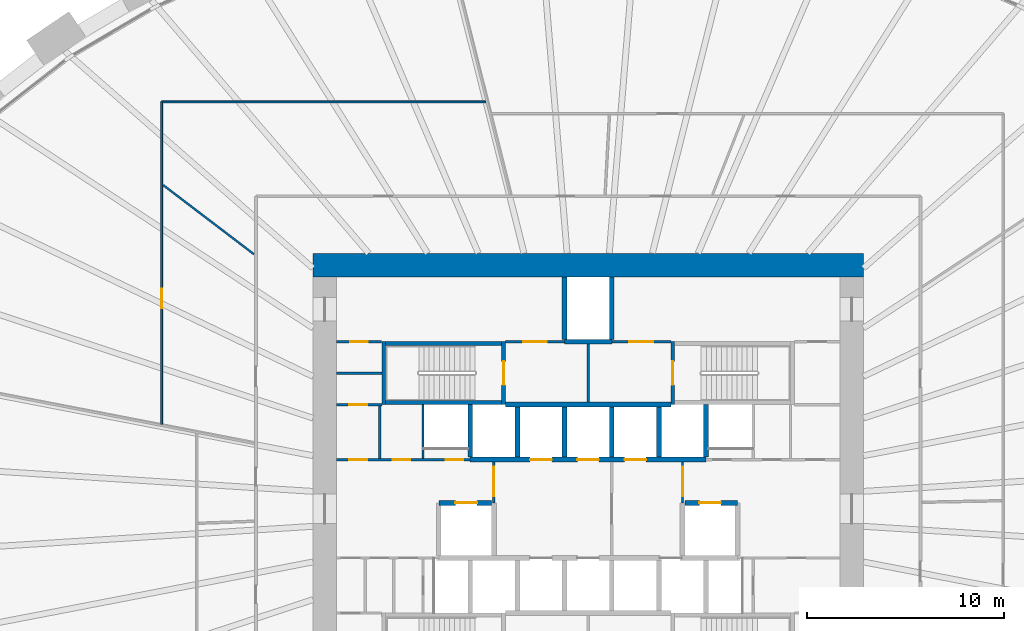
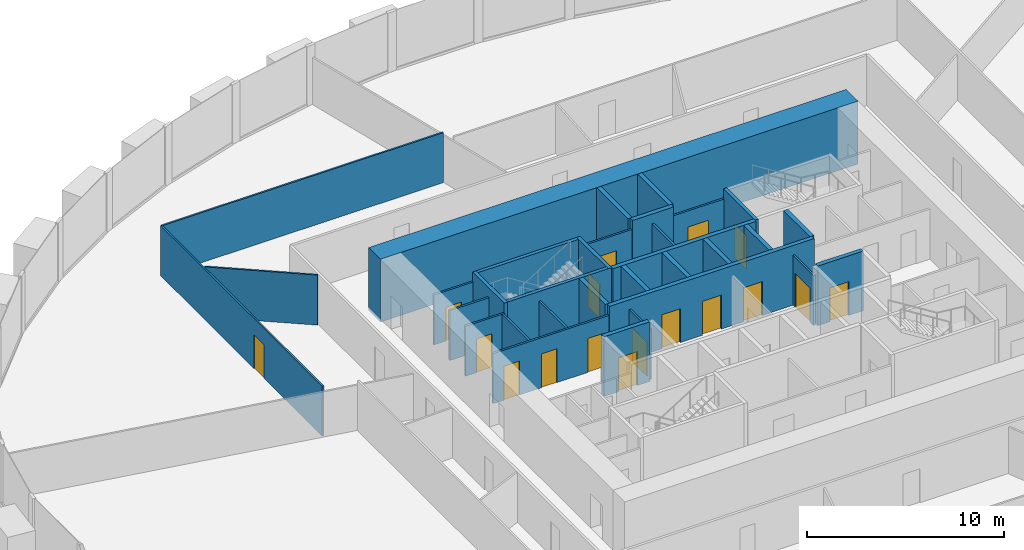
# One storey, part 8 of 10: 33 walls, 17 doors, 17 openings.
"""IFC4 building model written with IfcOpenShell, lengths in metres."""

from ifc_helpers import new_model, si_unit, direction, frame, frame_2d, origin, place, context, subcontext, project, spatial, rectangle, extrude, source, transform, mapped, material, layer, layer_set, type_object, element, fill, save


model = new_model("IFC4")

# Units and contexts
model_context = context("Model", 3, precision=1e-05, world=origin(), true_north=direction((0.0, 1.0)))
body_context = subcontext(model_context, "Body", "Model", "MODEL_VIEW")
ifc_project = project(units=[si_unit("LENGTHUNIT", "METRE"), si_unit("AREAUNIT", "SQUARE_METRE"), si_unit("VOLUMEUNIT", "CUBIC_METRE"), si_unit("PLANEANGLEUNIT", "RADIAN"), si_unit("MASSUNIT", "GRAM", prefix="KILO")], contexts=[model_context])

# Site, building, storey
site_placement = place(None, origin())
site = spatial("IfcSite", under=ifc_project, at=site_placement, CompositionType="ELEMENT")
building_placement = place(site_placement, origin())
building = spatial("IfcBuilding", under=site, at=building_placement, Name="Embergate Tower", CompositionType="ELEMENT")
storey_placement = place(building_placement, frame((0.0, 0.0, 93.199951171875)))
storey = spatial("IfcBuildingStorey", under=building, at=storey_placement, Name="L19", CompositionType="ELEMENT", Elevation=93.199951171875)

# Walls
ifc_material_1 = material(Name="Concrete C80", Category="concrete")
ifc_layer_1 = layer(ifc_material_1, 1.199951171875)
ifc_layer_set_1 = layer_set([ifc_layer_1], Name="Concrete C80")
wall_type_1 = type_object("IfcWallType", Name="Core outer wall C80 1200", PredefinedType="SHEAR", material=ifc_layer_set_1)
shared_shape_1 = source(origin(), body_context, "Body", "SweptSolid", [
    extrude(rectangle(XDim=28.0, YDim=1.199951171875, at=frame_2d((14.0, 0.0))), origin(), (0.0, 0.0, 1.0), 3.89990234375),
])
wall_1_placement = place(storey_placement, frame((-14.0, 12.39990234375, -0.199951171875), z_axis=(0.0, 0.0, 1.0), x_axis=(1.0, 0.0, 0.0)))
element("IfcWall", 1, at=wall_1_placement, inside=storey, type_object=wall_type_1, Name="CW-L19-N", PredefinedType="SHEAR", context=body_context, shape_type="MappedRepresentation", body=[
    mapped(shared_shape_1, transform((0.0, 0.0, 0.0))),
])
ifc_material_2 = material(Name="Concrete C50", Category="concrete")
ifc_layer_2 = layer(ifc_material_2, 0.25)
ifc_layer_set_2 = layer_set([ifc_layer_2], Name="Concrete C50")
wall_type_2 = type_object("IfcWallType", Name="Hoistway wall reinforced concrete 250", PredefinedType="SHEAR", material=ifc_layer_set_2)
shared_shape_2 = source(origin(), body_context, "Body", "SweptSolid", [
    extrude(rectangle(XDim=2.675048828125, YDim=0.25, at=frame_2d((1.33740234375, 0.0))), origin(), (0.0, 0.0, 1.0), 3.699951171875),
])
for number, where, z_axis, x_axis, name in (
    (2, (-6.0, 2.625, 0.0), (0.0, 0.0, 1.0), (0.0, 1.0, 0.0), "HW-1 wall"),
    (3, (6.0, 2.625, 0.0), (0.0, 0.0, 1.0), (0.0, 1.0, 0.0), "HW-1 wall"),
):
    element("IfcWall", number, at=place(storey_placement, frame(where, z_axis=z_axis, x_axis=x_axis)), inside=storey, type_object=wall_type_2, Name=name, PredefinedType="SHEAR", context=body_context, shape_type="MappedRepresentation", body=[
        mapped(shared_shape_2, transform((0.0, 0.0, 0.0))),
    ])

# Wall, opening, door
wall_2_placement = place(storey_placement, frame((-4.925048828125, 0.300048828125, 0.0), z_axis=(0.0, 0.0, 1.0), x_axis=(-1.0, 0.0, 0.0)))
wall_2 = element("IfcWall", 4, at=wall_2_placement, inside=storey, type_object=wall_type_2, Name="HW-1 wall", PredefinedType="SHEAR", context=body_context, shape_type="MappedRepresentation", body=[
    mapped(shared_shape_2, transform((0.0, 0.0, 0.0))),
])
shared_shape_3 = source(origin(), body_context, "Body", "SweptSolid", [
    extrude(rectangle(XDim=1.10009765625, YDim=2.10009765625, at=frame_2d((0.550048828125, 1.050048828125))), frame((0.0, 0.135009765625, 0.0), z_axis=(0.0, -1.0, 0.0), x_axis=(1.0, 0.0, 0.0)), (0.0, 0.0, 1.0), 0.27001953125),
])
opening_1_placement = place(wall_2_placement, frame((0.72509765625, 0.0, 0.0)))
opening_1 = element("IfcOpeningElement", 5, at=opening_1_placement, cuts=wall_2, Name="Opening LD", PredefinedType="OPENING", context=body_context, shape_type="MappedRepresentation", body=[
    mapped(shared_shape_3, transform((0.0, 0.0, 0.0))),
])
ifc_material_3 = material(Name="Landing door sliding 1100")
door_type_1 = type_object("IfcDoorType", Name="Landing door sliding 1100", OperationType="SLIDING_TO_LEFT", PredefinedType="DOOR", material=ifc_material_3)
shared_shape_4 = source(origin(), body_context, "Body", "SweptSolid", [
    extrude(rectangle(XDim=1.10009765625, YDim=2.10009765625, at=frame_2d((0.550048828125, 1.050048828125))), frame((0.0, 0.02490234375, 0.0), z_axis=(0.0, -1.0, 0.0), x_axis=(1.0, 0.0, 0.0)), (0.0, 0.0, 1.0), 0.050048828125),
])
door_1_placement = place(opening_1_placement, origin())
door_1 = element("IfcDoor", 6, at=door_1_placement, inside=storey, type_object=door_type_1, Name="LD door", OperationType="SLIDING_TO_LEFT", OverallHeight=2.10009765625, OverallWidth=1.10009765625, PredefinedType="DOOR", context=body_context, shape_type="MappedRepresentation", body=[
    mapped(shared_shape_4, transform((0.0, 0.0, 0.0))),
])
fill(opening_1, door_1)

wall_3_placement = place(storey_placement, frame((7.60009765625, 0.300048828125, 0.0), z_axis=(0.0, 0.0, 1.0), x_axis=(-1.0, 0.0, 0.0)))
wall_3 = element("IfcWall", 7, at=wall_3_placement, inside=storey, type_object=wall_type_2, Name="HW-1 wall", PredefinedType="SHEAR", context=body_context, shape_type="MappedRepresentation", body=[
    mapped(shared_shape_2, transform((0.0, 0.0, 0.0))),
])
opening_2_placement = place(wall_3_placement, frame((0.85009765625, 0.0, 0.0)))
opening_2 = element("IfcOpeningElement", 8, at=opening_2_placement, cuts=wall_3, Name="Opening LD", PredefinedType="OPENING", context=body_context, shape_type="MappedRepresentation", body=[
    mapped(shared_shape_3, transform((0.0, 0.0, 0.0))),
])
door_2_placement = place(opening_2_placement, origin())
door_2 = element("IfcDoor", 9, at=door_2_placement, inside=storey, type_object=door_type_1, Name="LD door", OperationType="SLIDING_TO_LEFT", OverallHeight=2.10009765625, OverallWidth=1.10009765625, PredefinedType="DOOR", context=body_context, shape_type="MappedRepresentation", body=[
    mapped(shared_shape_4, transform((0.0, 0.0, 0.0))),
])
fill(opening_2, door_2)

# Wall, openings, doors
ifc_material_4 = material(Name="Core partition blockwork 120")
ifc_layer_3 = layer(ifc_material_4, 0.1201171875)
ifc_layer_set_3 = layer_set([ifc_layer_3], Name="Core partition blockwork 120")
wall_type_3 = type_object("IfcWallType", Name="Core partition blockwork 120", PredefinedType="PARTITIONING", material=ifc_layer_set_3)
shared_shape_5 = source(origin(), body_context, "Body", "SweptSolid", [
    extrude(rectangle(XDim=6.800048828125, YDim=0.1201171875, at=frame_2d((3.39990234375, 0.0))), origin(), (0.0, 0.0, 1.0), 3.10009765625),
])
wall_4_placement = place(storey_placement, frame((-12.800048828125, 2.5, 0.0), z_axis=(0.0, 0.0, 1.0), x_axis=(1.0, 0.0, 0.0)))
wall_4 = element("IfcWall", 10, at=wall_4_placement, inside=storey, type_object=wall_type_3, Name="IP-3 wall", PredefinedType="PARTITIONING", context=body_context, shape_type="MappedRepresentation", body=[
    mapped(shared_shape_5, transform((0.0, 0.0, 0.0))),
])
shared_shape_6 = source(origin(), body_context, "Body", "SweptSolid", [
    extrude(rectangle(XDim=0.89990234375, YDim=2.10009765625, at=frame_2d((0.449951171875, 1.050048828125))), frame((0.0, 0.070068359375, 0.0), z_axis=(0.0, -1.0, 0.0), x_axis=(1.0, 0.0, 0.0)), (0.0, 0.0, 1.0), 0.14013671875),
])
opening_3_placement = place(wall_4_placement, frame((5.550048828125, 0.0, 0.0)))
opening_3 = element("IfcOpeningElement", 11, at=opening_3_placement, cuts=wall_4, Name="Opening ID-1", PredefinedType="OPENING", context=body_context, shape_type="MappedRepresentation", body=[
    mapped(shared_shape_6, transform((0.0, 0.0, 0.0))),
])
opening_4_placement = place(wall_4_placement, frame((0.64990234375, 0.0, 0.0)))
opening_4 = element("IfcOpeningElement", 12, at=opening_4_placement, cuts=wall_4, Name="Opening ID-1", PredefinedType="OPENING", context=body_context, shape_type="MappedRepresentation", body=[
    mapped(shared_shape_6, transform((0.0, 0.0, 0.0))),
])
opening_5_placement = place(wall_4_placement, frame((2.85009765625, 0.0, 0.0)))
opening_5 = element("IfcOpeningElement", 13, at=opening_5_placement, cuts=wall_4, Name="Opening ID-1", PredefinedType="OPENING", context=body_context, shape_type="MappedRepresentation", body=[
    mapped(shared_shape_6, transform((0.0, 0.0, 0.0))),
])
ifc_material_5 = material(Name="Interior door 900")
door_type_2 = type_object("IfcDoorType", Name="Interior door 900", OperationType="SINGLE_SWING_LEFT", PredefinedType="DOOR", material=ifc_material_5)
shared_shape_7 = source(origin(), body_context, "Body", "SweptSolid", [
    extrude(rectangle(XDim=0.89990234375, YDim=2.10009765625, at=frame_2d((0.449951171875, 1.050048828125))), frame((0.0, 0.02490234375, 0.0), z_axis=(0.0, -1.0, 0.0), x_axis=(1.0, 0.0, 0.0)), (0.0, 0.0, 1.0), 0.050048828125),
])
door_3_placement = place(opening_3_placement, origin())
door_3 = element("IfcDoor", 14, at=door_3_placement, inside=storey, type_object=door_type_2, Name="ID-1 door", OperationType="SINGLE_SWING_RIGHT", OverallHeight=2.10009765625, OverallWidth=0.89990234375, PredefinedType="DOOR", context=body_context, shape_type="MappedRepresentation", body=[
    mapped(shared_shape_7, transform((0.0, 0.0, 0.0))),
])
fill(opening_3, door_3)
door_4_placement = place(opening_4_placement, origin())
door_4 = element("IfcDoor", 15, at=door_4_placement, inside=storey, type_object=door_type_2, Name="ID-1 door", OperationType="SINGLE_SWING_LEFT", OverallHeight=2.10009765625, OverallWidth=0.89990234375, PredefinedType="DOOR", context=body_context, shape_type="MappedRepresentation", body=[
    mapped(shared_shape_7, transform((0.0, 0.0, 0.0))),
])
fill(opening_4, door_4)
door_5_placement = place(opening_5_placement, origin())
door_5 = element("IfcDoor", 16, at=door_5_placement, inside=storey, type_object=door_type_2, Name="ID-1 door", OperationType="SINGLE_SWING_LEFT", OverallHeight=2.10009765625, OverallWidth=0.89990234375, PredefinedType="DOOR", context=body_context, shape_type="MappedRepresentation", body=[
    mapped(shared_shape_7, transform((0.0, 0.0, 0.0))),
])
fill(opening_5, door_5)

# Walls
ifc_layer_4 = layer(ifc_material_2, 0.199951171875)
ifc_layer_set_4 = layer_set([ifc_layer_4], Name="Concrete C50")
wall_type_4 = type_object("IfcWallType", Name="Stair enclosure wall reinforced concrete 250", PredefinedType="SHEAR", material=ifc_layer_set_4)
shared_shape_8 = source(origin(), body_context, "Body", "SweptSolid", [
    extrude(rectangle(XDim=6.300048828125, YDim=0.199951171875, at=frame_2d((3.14990234375, 0.0))), origin(), (0.0, 0.0, 1.0), 3.699951171875),
])
for number, where, z_axis, x_axis, name in (
    (17, (-4.199951171875, 5.39990234375, 0.0), (0.0, 0.0, 1.0), (-1.0, 0.0, 0.0), "SE-1 wall"),
    (18, (-4.199951171875, 8.39990234375, 0.0), (0.0, 0.0, 1.0), (-1.0, 0.0, 0.0), "SE-1 wall"),
):
    element("IfcWall", number, at=place(storey_placement, frame(where, z_axis=z_axis, x_axis=x_axis)), inside=storey, type_object=wall_type_4, Name=name, PredefinedType="SHEAR", context=body_context, shape_type="MappedRepresentation", body=[
        mapped(shared_shape_8, transform((0.0, 0.0, 0.0))),
    ])
shared_shape_9 = source(origin(), body_context, "Body", "SweptSolid", [
    extrude(rectangle(XDim=2.739990234375, YDim=0.1201171875, at=frame_2d((1.3701171875, 0.0))), origin(), (0.0, 0.0, 1.0), 3.10009765625),
])
wall_5_placement = place(storey_placement, frame((-8.39990234375, 5.300048828125, 0.0), z_axis=(0.0, 0.0, 1.0), x_axis=(0.0, -1.0, 0.0)))
element("IfcWall", 19, at=wall_5_placement, inside=storey, type_object=wall_type_3, Name="IP-3 wall", PredefinedType="PARTITIONING", context=body_context, shape_type="MappedRepresentation", body=[
    mapped(shared_shape_9, transform((0.0, 0.0, 0.0))),
])
shared_shape_10 = source(origin(), body_context, "Body", "SweptSolid", [
    extrude(rectangle(XDim=2.550048828125, YDim=0.25, at=frame_2d((1.27490234375, 0.0))), origin(), (0.0, 0.0, 1.0), 3.699951171875),
])
for number, where, z_axis, x_axis, name in (
    (20, (-3.60009765625, 2.625, 0.0), (0.0, 0.0, 1.0), (0.0, 1.0, 0.0), "HW-1 wall"),
    (21, (-1.199951171875, 2.625, 0.0), (0.0, 0.0, 1.0), (0.0, 1.0, 0.0), "HW-1 wall"),
    (22, (1.199951171875, 2.625, 0.0), (0.0, 0.0, 1.0), (0.0, 1.0, 0.0), "HW-1 wall"),
    (23, (3.60009765625, 2.625, 0.0), (0.0, 0.0, 1.0), (0.0, 1.0, 0.0), "HW-1 wall"),
):
    element("IfcWall", number, at=place(storey_placement, frame(where, z_axis=z_axis, x_axis=x_axis)), inside=storey, type_object=wall_type_2, Name=name, PredefinedType="SHEAR", context=body_context, shape_type="MappedRepresentation", body=[
        mapped(shared_shape_10, transform((0.0, 0.0, 0.0))),
    ])

# Wall, openings, doors
shared_shape_11 = source(origin(), body_context, "Body", "SweptSolid", [
    extrude(rectangle(XDim=12.0, YDim=0.25, at=frame_2d((6.0, 0.0))), origin(), (0.0, 0.0, 1.0), 3.699951171875),
])
wall_6_placement = place(storey_placement, frame((-6.0, 2.5, 0.0), z_axis=(0.0, 0.0, 1.0), x_axis=(1.0, 0.0, 0.0)))
wall_6 = element("IfcWall", 24, at=wall_6_placement, inside=storey, type_object=wall_type_2, Name="HW-1 wall", PredefinedType="SHEAR", context=body_context, shape_type="MappedRepresentation", body=[
    mapped(shared_shape_11, transform((0.0, 0.0, 0.0))),
])
opening_6_placement = place(wall_6_placement, frame((3.050048828125, 0.0, 0.0)))
opening_6 = element("IfcOpeningElement", 25, at=opening_6_placement, cuts=wall_6, Name="Opening LD", PredefinedType="OPENING", context=body_context, shape_type="MappedRepresentation", body=[
    mapped(shared_shape_3, transform((0.0, 0.0, 0.0))),
])
opening_7_placement = place(wall_6_placement, frame((5.449951171875, 0.0, 0.0)))
opening_7 = element("IfcOpeningElement", 26, at=opening_7_placement, cuts=wall_6, Name="Opening LD", PredefinedType="OPENING", context=body_context, shape_type="MappedRepresentation", body=[
    mapped(shared_shape_3, transform((0.0, 0.0, 0.0))),
])
opening_8_placement = place(wall_6_placement, frame((7.85009765625, 0.0, 0.0)))
opening_8 = element("IfcOpeningElement", 27, at=opening_8_placement, cuts=wall_6, Name="Opening LD", PredefinedType="OPENING", context=body_context, shape_type="MappedRepresentation", body=[
    mapped(shared_shape_3, transform((0.0, 0.0, 0.0))),
])
door_6_placement = place(opening_6_placement, origin())
door_6 = element("IfcDoor", 28, at=door_6_placement, inside=storey, type_object=door_type_1, Name="LD door", OperationType="SLIDING_TO_RIGHT", OverallHeight=2.10009765625, OverallWidth=1.10009765625, PredefinedType="DOOR", context=body_context, shape_type="MappedRepresentation", body=[
    mapped(shared_shape_4, transform((0.0, 0.0, 0.0))),
])
fill(opening_6, door_6)
door_7_placement = place(opening_7_placement, origin())
door_7 = element("IfcDoor", 29, at=door_7_placement, inside=storey, type_object=door_type_1, Name="LD door", OperationType="SLIDING_TO_RIGHT", OverallHeight=2.10009765625, OverallWidth=1.10009765625, PredefinedType="DOOR", context=body_context, shape_type="MappedRepresentation", body=[
    mapped(shared_shape_4, transform((0.0, 0.0, 0.0))),
])
fill(opening_7, door_7)
door_8_placement = place(opening_8_placement, origin())
door_8 = element("IfcDoor", 30, at=door_8_placement, inside=storey, type_object=door_type_1, Name="LD door", OperationType="SLIDING_TO_RIGHT", OverallHeight=2.10009765625, OverallWidth=1.10009765625, PredefinedType="DOOR", context=body_context, shape_type="MappedRepresentation", body=[
    mapped(shared_shape_4, transform((0.0, 0.0, 0.0))),
])
fill(opening_8, door_8)

# Wall
shared_shape_12 = source(origin(), body_context, "Body", "SweptSolid", [
    extrude(rectangle(XDim=8.39990234375, YDim=0.25, at=frame_2d((4.199951171875, 0.0))), origin(), (0.0, 0.0, 1.0), 3.699951171875),
])
wall_7_placement = place(storey_placement, frame((4.199951171875, 5.300048828125, 0.0), z_axis=(0.0, 0.0, 1.0), x_axis=(-1.0, 0.0, 0.0)))
element("IfcWall", 31, at=wall_7_placement, inside=storey, type_object=wall_type_2, Name="HW-1 wall", PredefinedType="SHEAR", context=body_context, shape_type="MappedRepresentation", body=[
    mapped(shared_shape_12, transform((0.0, 0.0, 0.0))),
])

# Wall, opening, door
shared_shape_13 = source(origin(), body_context, "Body", "SweptSolid", [
    extrude(rectangle(XDim=2.074951171875, YDim=0.1201171875, at=frame_2d((1.03759765625, 0.0))), origin(), (0.0, 0.0, 1.0), 3.10009765625),
])
wall_8_placement = place(storey_placement, frame((-4.800048828125, 2.375, 0.0), z_axis=(0.0, 0.0, 1.0), x_axis=(0.0, -1.0, 0.0)))
wall_8 = element("IfcWall", 32, at=wall_8_placement, inside=storey, type_object=wall_type_3, Name="IP-3 wall", PredefinedType="PARTITIONING", context=body_context, shape_type="MappedRepresentation", body=[
    mapped(shared_shape_13, transform((0.0, 0.0, 0.0))),
])
shared_shape_14 = source(origin(), body_context, "Body", "SweptSolid", [
    extrude(rectangle(XDim=1.5, YDim=2.10009765625, at=frame_2d((0.75, 1.050048828125))), frame((0.0, 0.070068359375, 0.0), z_axis=(0.0, -1.0, 0.0), x_axis=(1.0, 0.0, 0.0)), (0.0, 0.0, 1.0), 0.14013671875),
])
opening_9_placement = place(wall_8_placement, frame((0.22509765625, 0.0, 0.0)))
opening_9 = element("IfcOpeningElement", 33, at=opening_9_placement, cuts=wall_8, Name="Opening IF-3", PredefinedType="OPENING", context=body_context, shape_type="MappedRepresentation", body=[
    mapped(shared_shape_14, transform((0.0, 0.0, 0.0))),
])
ifc_material_6 = material(Name="Lobby fire door pair 1500")
door_type_3 = type_object("IfcDoorType", Name="Lobby fire door pair 1500", OperationType="DOUBLE_DOOR_SINGLE_SWING", PredefinedType="DOOR", material=ifc_material_6)
shared_shape_15 = source(origin(), body_context, "Body", "SweptSolid", [
    extrude(rectangle(XDim=1.5, YDim=2.10009765625, at=frame_2d((0.75, 1.050048828125))), frame((0.0, 0.02490234375, 0.0), z_axis=(0.0, -1.0, 0.0), x_axis=(1.0, 0.0, 0.0)), (0.0, 0.0, 1.0), 0.050048828125),
])
door_9_placement = place(opening_9_placement, origin())
door_9 = element("IfcDoor", 34, at=door_9_placement, inside=storey, type_object=door_type_3, Name="IF-3 door", OperationType="DOUBLE_DOOR_SINGLE_SWING", OverallHeight=2.10009765625, OverallWidth=1.5, PredefinedType="DOOR", context=body_context, shape_type="MappedRepresentation", body=[
    mapped(shared_shape_15, transform((0.0, 0.0, 0.0))),
])
fill(opening_9, door_9)

wall_9_placement = place(storey_placement, frame((4.800048828125, 0.300048828125, 0.0), z_axis=(0.0, 0.0, 1.0), x_axis=(0.0, 1.0, 0.0)))
wall_9 = element("IfcWall", 35, at=wall_9_placement, inside=storey, type_object=wall_type_3, Name="IP-3 wall", PredefinedType="PARTITIONING", context=body_context, shape_type="MappedRepresentation", body=[
    mapped(shared_shape_13, transform((0.0, 0.0, 0.0))),
])
opening_10_placement = place(wall_9_placement, frame((0.35009765625, 0.0, 0.0)))
opening_10 = element("IfcOpeningElement", 36, at=opening_10_placement, cuts=wall_9, Name="Opening IF-3", PredefinedType="OPENING", context=body_context, shape_type="MappedRepresentation", body=[
    mapped(shared_shape_14, transform((0.0, 0.0, 0.0))),
])
door_10_placement = place(opening_10_placement, origin())
door_10 = element("IfcDoor", 37, at=door_10_placement, inside=storey, type_object=door_type_3, Name="IF-3 door", OperationType="DOUBLE_DOOR_SINGLE_SWING", OverallHeight=2.10009765625, OverallWidth=1.5, PredefinedType="DOOR", context=body_context, shape_type="MappedRepresentation", body=[
    mapped(shared_shape_15, transform((0.0, 0.0, 0.0))),
])
fill(opening_10, door_10)

shared_shape_16 = source(origin(), body_context, "Body", "SweptSolid", [
    extrude(rectangle(XDim=3.199951171875, YDim=0.199951171875, at=frame_2d((1.60009765625, 0.0))), origin(), (0.0, 0.0, 1.0), 3.699951171875),
])
wall_10_placement = place(storey_placement, frame((-4.300048828125, 5.300048828125, 0.0), z_axis=(0.0, 0.0, 1.0), x_axis=(0.0, 1.0, 0.0)))
wall_10 = element("IfcWall", 38, at=wall_10_placement, inside=storey, type_object=wall_type_4, Name="SE-1 wall", PredefinedType="SHEAR", context=body_context, shape_type="MappedRepresentation", body=[
    mapped(shared_shape_16, transform((0.0, 0.0, 0.0))),
])
shared_shape_17 = source(origin(), body_context, "Body", "SweptSolid", [
    extrude(rectangle(XDim=1.199951171875, YDim=2.10009765625, at=frame_2d((0.60009765625, 1.050048828125))), frame((0.0, 0.10986328125, 0.0), z_axis=(0.0, -1.0, 0.0), x_axis=(1.0, 0.0, 0.0)), (0.0, 0.0, 1.0), 0.219970703125),
])
opening_11_placement = place(wall_10_placement, frame((1.0, 0.0, 0.0)))
opening_11 = element("IfcOpeningElement", 39, at=opening_11_placement, cuts=wall_10, Name="Opening IF-2", PredefinedType="OPENING", context=body_context, shape_type="MappedRepresentation", body=[
    mapped(shared_shape_17, transform((0.0, 0.0, 0.0))),
])
ifc_material_7 = material(Name="Stair enclosure door 1200")
door_type_4 = type_object("IfcDoorType", Name="Stair enclosure door 1200", OperationType="SINGLE_SWING_LEFT", PredefinedType="DOOR", material=ifc_material_7)
shared_shape_18 = source(origin(), body_context, "Body", "SweptSolid", [
    extrude(rectangle(XDim=1.199951171875, YDim=2.10009765625, at=frame_2d((0.60009765625, 1.050048828125))), frame((0.0, 0.02490234375, 0.0), z_axis=(0.0, -1.0, 0.0), x_axis=(1.0, 0.0, 0.0)), (0.0, 0.0, 1.0), 0.050048828125),
])
door_11_placement = place(opening_11_placement, origin())
door_11 = element("IfcDoor", 40, at=door_11_placement, inside=storey, type_object=door_type_4, Name="IF-2 door", OperationType="SINGLE_SWING_LEFT", OverallHeight=2.10009765625, OverallWidth=1.199951171875, PredefinedType="DOOR", context=body_context, shape_type="MappedRepresentation", body=[
    mapped(shared_shape_18, transform((0.0, 0.0, 0.0))),
])
fill(opening_11, door_11)

# Wall
wall_11_placement = place(storey_placement, frame((-10.39990234375, 8.5, 0.0), z_axis=(0.0, 0.0, 1.0), x_axis=(0.0, -1.0, 0.0)))
element("IfcWall", 41, at=wall_11_placement, inside=storey, type_object=wall_type_4, Name="SE-1 wall", PredefinedType="SHEAR", context=body_context, shape_type="MappedRepresentation", body=[
    mapped(shared_shape_16, transform((0.0, 0.0, 0.0))),
])

# Wall, opening, door
wall_12_placement = place(storey_placement, frame((4.300048828125, 8.5, 0.0), z_axis=(0.0, 0.0, 1.0), x_axis=(0.0, -1.0, 0.0)))
wall_12 = element("IfcWall", 42, at=wall_12_placement, inside=storey, type_object=wall_type_4, Name="SE-1 wall", PredefinedType="SHEAR", context=body_context, shape_type="MappedRepresentation", body=[
    mapped(shared_shape_16, transform((0.0, 0.0, 0.0))),
])
opening_12_placement = place(wall_12_placement, frame((1.0, 0.0, 0.0)))
opening_12 = element("IfcOpeningElement", 43, at=opening_12_placement, cuts=wall_12, Name="Opening IF-2", PredefinedType="OPENING", context=body_context, shape_type="MappedRepresentation", body=[
    mapped(shared_shape_17, transform((0.0, 0.0, 0.0))),
])
door_12_placement = place(opening_12_placement, origin())
door_12 = element("IfcDoor", 44, at=door_12_placement, inside=storey, type_object=door_type_4, Name="IF-2 door", OperationType="SINGLE_SWING_RIGHT", OverallHeight=2.10009765625, OverallWidth=1.199951171875, PredefinedType="DOOR", context=body_context, shape_type="MappedRepresentation", body=[
    mapped(shared_shape_18, transform((0.0, 0.0, 0.0))),
])
fill(opening_12, door_12)

# Wall
shared_shape_19 = source(origin(), body_context, "Body", "SweptSolid", [
    extrude(rectangle(XDim=2.949951171875, YDim=0.1201171875, at=frame_2d((1.47509765625, 0.0))), origin(), (0.0, 0.0, 1.0), 3.10009765625),
])
wall_13_placement = place(storey_placement, frame((0.0, 5.425048828125, 0.0), z_axis=(0.0, 0.0, 1.0), x_axis=(0.0, 1.0, 0.0)))
element("IfcWall", 45, at=wall_13_placement, inside=storey, type_object=wall_type_3, Name="IP-3 wall", PredefinedType="PARTITIONING", context=body_context, shape_type="MappedRepresentation", body=[
    mapped(shared_shape_19, transform((0.0, 0.0, 0.0))),
])

# Wall, opening, door
shared_shape_20 = source(origin(), body_context, "Body", "SweptSolid", [
    extrude(rectangle(XDim=3.0, YDim=0.1201171875, at=frame_2d((1.5, 0.0))), origin(), (0.0, 0.0, 1.0), 3.10009765625),
])
wall_14_placement = place(storey_placement, frame((-1.199951171875, 8.5, 0.0), z_axis=(0.0, 0.0, 1.0), x_axis=(-1.0, 0.0, 0.0)))
wall_14 = element("IfcWall", 46, at=wall_14_placement, inside=storey, type_object=wall_type_3, Name="IP-3 wall", PredefinedType="PARTITIONING", context=body_context, shape_type="MappedRepresentation", body=[
    mapped(shared_shape_20, transform((0.0, 0.0, 0.0))),
])
shared_shape_21 = source(origin(), body_context, "Body", "SweptSolid", [
    extrude(rectangle(XDim=1.199951171875, YDim=2.10009765625, at=frame_2d((0.60009765625, 1.050048828125))), frame((0.0, 0.070068359375, 0.0), z_axis=(0.0, -1.0, 0.0), x_axis=(1.0, 0.0, 0.0)), (0.0, 0.0, 1.0), 0.14013671875),
])
opening_13_placement = place(wall_14_placement, frame((0.89990234375, 0.0, 0.0)))
opening_13 = element("IfcOpeningElement", 47, at=opening_13_placement, cuts=wall_14, Name="Opening IF-3f", PredefinedType="OPENING", context=body_context, shape_type="MappedRepresentation", body=[
    mapped(shared_shape_21, transform((0.0, 0.0, 0.0))),
])
ifc_material_8 = material(Name="Lobby fire door pair 1200")
door_type_5 = type_object("IfcDoorType", Name="Lobby fire door pair 1200", OperationType="DOUBLE_DOOR_SINGLE_SWING", PredefinedType="DOOR", material=ifc_material_8)
door_13_placement = place(opening_13_placement, origin())
door_13 = element("IfcDoor", 48, at=door_13_placement, inside=storey, type_object=door_type_5, Name="IF-3 door", OperationType="DOUBLE_DOOR_SINGLE_SWING", OverallHeight=2.10009765625, OverallWidth=1.199951171875, PredefinedType="DOOR", context=body_context, shape_type="MappedRepresentation", body=[
    mapped(shared_shape_18, transform((0.0, 0.0, 0.0))),
])
fill(opening_13, door_13)

wall_15_placement = place(storey_placement, frame((4.199951171875, 8.5, 0.0), z_axis=(0.0, 0.0, 1.0), x_axis=(-1.0, 0.0, 0.0)))
wall_15 = element("IfcWall", 49, at=wall_15_placement, inside=storey, type_object=wall_type_3, Name="IP-3 wall", PredefinedType="PARTITIONING", context=body_context, shape_type="MappedRepresentation", body=[
    mapped(shared_shape_20, transform((0.0, 0.0, 0.0))),
])
opening_14_placement = place(wall_15_placement, frame((0.89990234375, 0.0, 0.0)))
opening_14 = element("IfcOpeningElement", 50, at=opening_14_placement, cuts=wall_15, Name="Opening IF-3f", PredefinedType="OPENING", context=body_context, shape_type="MappedRepresentation", body=[
    mapped(shared_shape_21, transform((0.0, 0.0, 0.0))),
])
door_14_placement = place(opening_14_placement, origin())
door_14 = element("IfcDoor", 51, at=door_14_placement, inside=storey, type_object=door_type_5, Name="IF-3 door", OperationType="DOUBLE_DOOR_SINGLE_SWING", OverallHeight=2.10009765625, OverallWidth=1.199951171875, PredefinedType="DOOR", context=body_context, shape_type="MappedRepresentation", body=[
    mapped(shared_shape_18, transform((0.0, 0.0, 0.0))),
])
fill(opening_14, door_14)

# Walls
shared_shape_22 = source(origin(), body_context, "Body", "SweptSolid", [
    extrude(rectangle(XDim=2.39990234375, YDim=0.25, at=frame_2d((1.199951171875, 0.0))), origin(), (0.0, 0.0, 1.0), 3.699951171875),
])
wall_16_placement = place(storey_placement, frame((1.199951171875, 8.5, 0.0), z_axis=(0.0, 0.0, 1.0), x_axis=(-1.0, 0.0, 0.0)))
element("IfcWall", 52, at=wall_16_placement, inside=storey, type_object=wall_type_2, Name="HW-1 wall", PredefinedType="SHEAR", context=body_context, shape_type="MappedRepresentation", body=[
    mapped(shared_shape_22, transform((0.0, 0.0, 0.0))),
])
shared_shape_23 = source(origin(), body_context, "Body", "SweptSolid", [
    extrude(rectangle(XDim=3.175048828125, YDim=0.25, at=frame_2d((1.58740234375, 0.0))), origin(), (0.0, 0.0, 1.0), 3.699951171875),
])
for number, where, z_axis, x_axis, name in (
    (53, (-1.199951171875, 8.625, 0.0), (0.0, 0.0, 1.0), (0.0, 1.0, 0.0), "HW-1 wall"),
    (54, (1.199951171875, 11.800048828125, 0.0), (0.0, 0.0, 1.0), (0.0, -1.0, 0.0), "HW-1 wall"),
):
    element("IfcWall", number, at=place(storey_placement, frame(where, z_axis=z_axis, x_axis=x_axis)), inside=storey, type_object=wall_type_2, Name=name, PredefinedType="SHEAR", context=body_context, shape_type="MappedRepresentation", body=[
        mapped(shared_shape_23, transform((0.0, 0.0, 0.0))),
    ])

# Wall, opening, door
shared_shape_24 = source(origin(), body_context, "Body", "SweptSolid", [
    extrude(rectangle(XDim=2.300048828125, YDim=0.1201171875, at=frame_2d((1.14990234375, 0.0))), origin(), (0.0, 0.0, 1.0), 3.10009765625),
])
wall_17_placement = place(storey_placement, frame((-12.800048828125, 8.5, 0.0), z_axis=(0.0, 0.0, 1.0), x_axis=(1.0, 0.0, 0.0)))
wall_17 = element("IfcWall", 55, at=wall_17_placement, inside=storey, type_object=wall_type_3, Name="IP-3 wall", PredefinedType="PARTITIONING", context=body_context, shape_type="MappedRepresentation", body=[
    mapped(shared_shape_24, transform((0.0, 0.0, 0.0))),
])
opening_15_placement = place(wall_17_placement, frame((0.699951171875, 0.0, 0.0)))
opening_15 = element("IfcOpeningElement", 56, at=opening_15_placement, cuts=wall_17, Name="Opening ID-1", PredefinedType="OPENING", context=body_context, shape_type="MappedRepresentation", body=[
    mapped(shared_shape_6, transform((0.0, 0.0, 0.0))),
])
door_15_placement = place(opening_15_placement, origin())
door_15 = element("IfcDoor", 57, at=door_15_placement, inside=storey, type_object=door_type_2, Name="ID-1 door", OperationType="SINGLE_SWING_LEFT", OverallHeight=2.10009765625, OverallWidth=0.89990234375, PredefinedType="DOOR", context=body_context, shape_type="MappedRepresentation", body=[
    mapped(shared_shape_7, transform((0.0, 0.0, 0.0))),
])
fill(opening_15, door_15)

wall_18_placement = place(storey_placement, frame((-10.5, 5.300048828125, 0.0), z_axis=(0.0, 0.0, 1.0), x_axis=(-1.0, 0.0, 0.0)))
wall_18 = element("IfcWall", 58, at=wall_18_placement, inside=storey, type_object=wall_type_3, Name="IP-3 wall", PredefinedType="PARTITIONING", context=body_context, shape_type="MappedRepresentation", body=[
    mapped(shared_shape_24, transform((0.0, 0.0, 0.0))),
])
opening_16_placement = place(wall_18_placement, frame((0.75, 0.0, 0.0)))
opening_16 = element("IfcOpeningElement", 59, at=opening_16_placement, cuts=wall_18, Name="Opening ID-1", PredefinedType="OPENING", context=body_context, shape_type="MappedRepresentation", body=[
    mapped(shared_shape_6, transform((0.0, 0.0, 0.0))),
])
door_16_placement = place(opening_16_placement, origin())
door_16 = element("IfcDoor", 60, at=door_16_placement, inside=storey, type_object=door_type_2, Name="ID-1 door", OperationType="SINGLE_SWING_LEFT", OverallHeight=2.10009765625, OverallWidth=0.89990234375, PredefinedType="DOOR", context=body_context, shape_type="MappedRepresentation", body=[
    mapped(shared_shape_7, transform((0.0, 0.0, 0.0))),
])
fill(opening_16, door_16)

# Walls
wall_19_placement = place(storey_placement, frame((-10.5, 6.89990234375, 0.0), z_axis=(0.0, 0.0, 1.0), x_axis=(-1.0, 0.0, 0.0)))
element("IfcWall", 61, at=wall_19_placement, inside=storey, type_object=wall_type_3, Name="IP-3 wall", PredefinedType="PARTITIONING", context=body_context, shape_type="MappedRepresentation", body=[
    mapped(shared_shape_24, transform((0.0, 0.0, 0.0))),
])
shared_shape_25 = source(origin(), body_context, "Body", "SweptSolid", [
    extrude(rectangle(XDim=2.679931640625, YDim=0.1201171875, at=frame_2d((1.33984375, 0.0))), origin(), (0.0, 0.0, 1.0), 3.10009765625),
])
wall_20_placement = place(storey_placement, frame((-10.60009765625, 2.56005859375, 0.0), z_axis=(0.0, 0.0, 1.0), x_axis=(0.0, 1.0, 0.0)))
element("IfcWall", 62, at=wall_20_placement, inside=storey, type_object=wall_type_3, Name="IP-3 wall", PredefinedType="PARTITIONING", context=body_context, shape_type="MappedRepresentation", body=[
    mapped(shared_shape_25, transform((0.0, 0.0, 0.0))),
])
ifc_material_9 = material(Name="Partition dry-lined 100")
ifc_layer_5 = layer(ifc_material_9, 0.10009765625)
ifc_layer_set_5 = layer_set([ifc_layer_5], Name="Partition dry-lined 100")
wall_type_5 = type_object("IfcWallType", Name="Partition dry-lined 100", PredefinedType="PARTITIONING", material=ifc_layer_set_5)
shared_shape_26 = source(origin(), body_context, "Body", "SweptSolid", [
    extrude(rectangle(XDim=5.80126953125, YDim=0.10009765625, at=frame_2d((2.900634765625, 0.0))), origin(), (0.0, 0.0, 1.0), 3.10009765625),
])
wall_21_placement = place(storey_placement, frame((-17.0048828125, 12.955078125, 0.0), z_axis=(0.0, 0.0, 1.0), x_axis=(-0.795554393148, 0.605882172987, 0.0)))
element("IfcWall", 63, at=wall_21_placement, inside=storey, type_object=wall_type_5, Name="IP-1 wall", PredefinedType="PARTITIONING", context=body_context, shape_type="MappedRepresentation", body=[
    mapped(shared_shape_26, transform((0.0, 0.0, 0.0))),
])

# Wall, opening, door
shared_shape_27 = source(origin(), body_context, "Body", "SweptSolid", [
    extrude(rectangle(XDim=16.39990234375, YDim=0.10009765625, at=frame_2d((8.199951171875, 0.0))), origin(), (0.0, 0.0, 1.0), 3.10009765625),
])
wall_22_placement = place(storey_placement, frame((-21.699951171875, 4.300048828125, 0.0), z_axis=(0.0, 0.0, 1.0), x_axis=(0.0, 1.0, 0.0)))
wall_22 = element("IfcWall", 64, at=wall_22_placement, inside=storey, type_object=wall_type_5, Name="IP-1 wall", PredefinedType="PARTITIONING", context=body_context, shape_type="MappedRepresentation", body=[
    mapped(shared_shape_27, transform((0.0, 0.0, 0.0))),
])
shared_shape_28 = source(origin(), body_context, "Body", "SweptSolid", [
    extrude(rectangle(XDim=1.0, YDim=2.10009765625, at=frame_2d((0.5, 1.050048828125))), frame((0.0, 0.06005859375, 0.0), z_axis=(0.0, -1.0, 0.0), x_axis=(1.0, 0.0, 0.0)), (0.0, 0.0, 1.0), 0.1201171875),
])
opening_17_placement = place(wall_22_placement, frame((5.90576171875, 0.0, 0.0)))
opening_17 = element("IfcOpeningElement", 65, at=opening_17_placement, cuts=wall_22, Name="Opening ID-2", PredefinedType="OPENING", context=body_context, shape_type="MappedRepresentation", body=[
    mapped(shared_shape_28, transform((0.0, 0.0, 0.0))),
])
ifc_material_10 = material(Name="Interior door 1000")
door_type_6 = type_object("IfcDoorType", Name="Interior door 1000", OperationType="SINGLE_SWING_LEFT", PredefinedType="DOOR", material=ifc_material_10)
shared_shape_29 = source(origin(), body_context, "Body", "SweptSolid", [
    extrude(rectangle(XDim=1.0, YDim=2.10009765625, at=frame_2d((0.5, 1.050048828125))), frame((0.0, 0.02490234375, 0.0), z_axis=(0.0, -1.0, 0.0), x_axis=(1.0, 0.0, 0.0)), (0.0, 0.0, 1.0), 0.050048828125),
])
door_17_placement = place(opening_17_placement, origin())
door_17 = element("IfcDoor", 66, at=door_17_placement, inside=storey, type_object=door_type_6, Name="ID-2 door", OperationType="SINGLE_SWING_RIGHT", OverallHeight=2.10009765625, OverallWidth=1.0, PredefinedType="DOOR", context=body_context, shape_type="MappedRepresentation", body=[
    mapped(shared_shape_29, transform((0.0, 0.0, 0.0))),
])
fill(opening_17, door_17)

# Wall
shared_shape_30 = source(origin(), body_context, "Body", "SweptSolid", [
    extrude(rectangle(XDim=16.491943359375, YDim=0.10009765625, at=frame_2d((8.24609375, 0.0))), origin(), (0.0, 0.0, 1.0), 3.10009765625),
])
wall_23_placement = place(storey_placement, frame((-21.699951171875, 20.699951171875, 0.0), z_axis=(0.0, 0.0, 1.0), x_axis=(1.0, 0.0, 0.0)))
element("IfcWall", 67, at=wall_23_placement, inside=storey, type_object=wall_type_5, Name="IP-1 wall", PredefinedType="PARTITIONING", context=body_context, shape_type="MappedRepresentation", body=[
    mapped(shared_shape_30, transform((0.0, 0.0, 0.0))),
])

save(model, "model.ifc")
